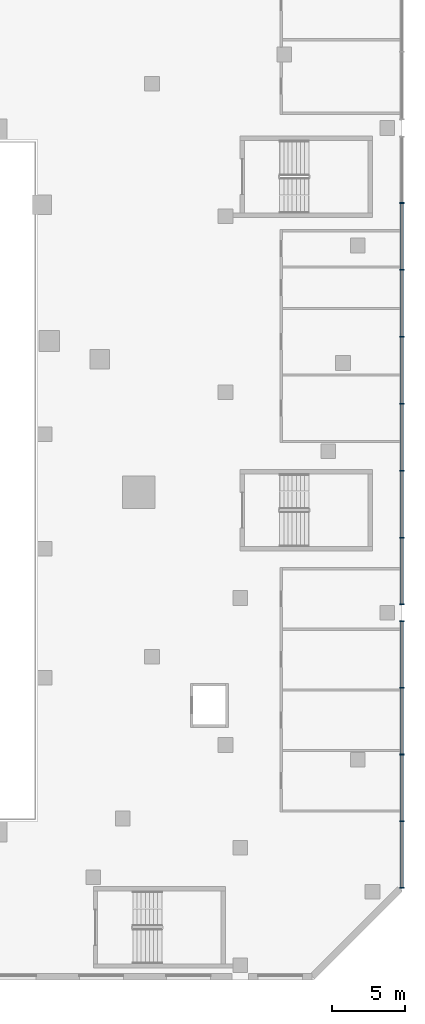
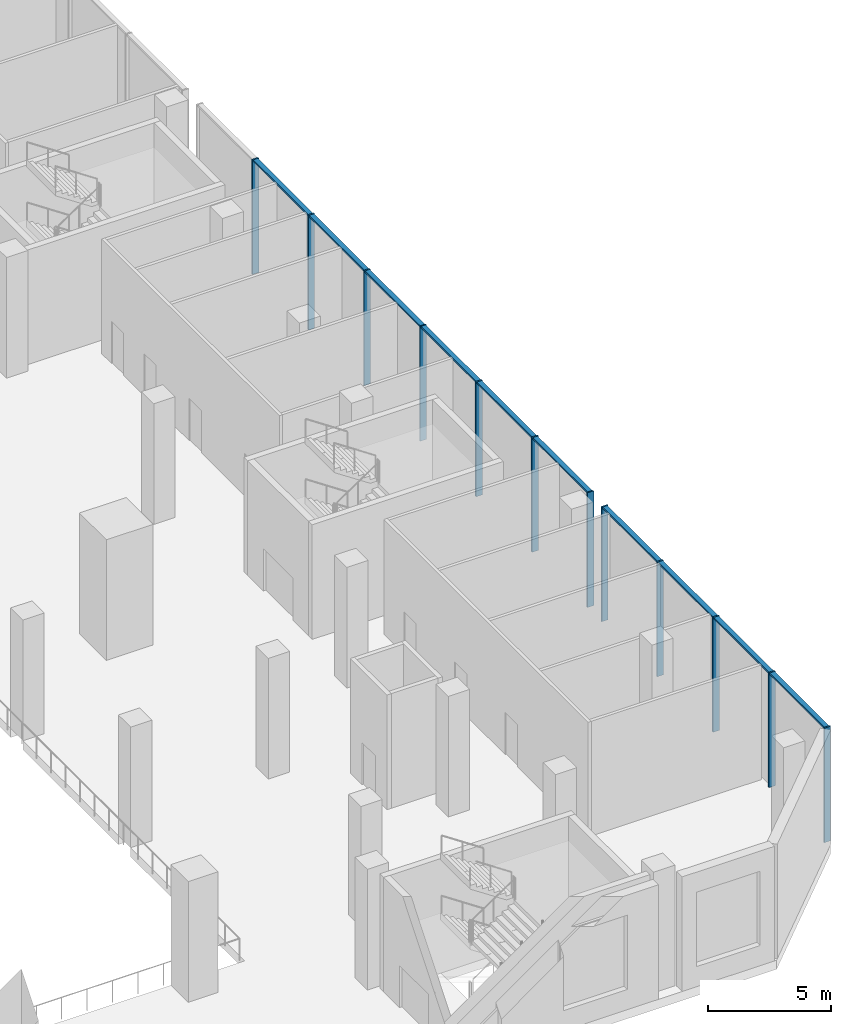
# One storey, part 4 of 30: 22 members, 2 elements without a shape of their own.
"""IFC4 building model written with IfcOpenShell, lengths in metres."""

from ifc_helpers import new_model, si_unit, direction, frame, origin, origin_2d, place, context, subcontext, project, spatial, rectangle, extrude, material, material_profile, profile_set, type_object, element, aggregate, save


model = new_model("IFC4")

# Units and contexts
model_context = context("Model", 3, precision=1e-05, world=origin(), true_north=direction((0.0, 1.0)))
body_context = subcontext(model_context, "Body", "Model", "MODEL_VIEW")
ifc_project = project(units=[si_unit("LENGTHUNIT", "METRE"), si_unit("AREAUNIT", "SQUARE_METRE"), si_unit("VOLUMEUNIT", "CUBIC_METRE"), si_unit("PLANEANGLEUNIT", "RADIAN"), si_unit("MASSUNIT", "GRAM", prefix="KILO")], contexts=[model_context])

# Site, building, storey
site_placement = place(None, origin())
site = spatial("IfcSite", under=ifc_project, at=site_placement, CompositionType="ELEMENT")
building_placement = place(site_placement, origin())
building = spatial("IfcBuilding", under=site, at=building_placement, Name="Wharfspan Tower", CompositionType="ELEMENT")
storey_placement = place(building_placement, frame((0.0, 0.0, 21.5)))
storey = spatial("IfcBuildingStorey", under=building, at=storey_placement, Name="L03", CompositionType="ELEMENT", Elevation=21.5)

# Curtain wall, members
ifc_material = material(Name="Aluminium 6063-T6", Category="aluminium")
curtain_wall_type = type_object("IfcCurtainWallType", Name="CURTAIN WALL ARENA STICK WALL", PredefinedType="NOTDEFINED", material=ifc_material)
curtain_wall_1_placement = place(storey_placement, origin())
curtain_wall_1 = element("IfcCurtainWall", 1, at=curtain_wall_1_placement, inside=storey, type_object=curtain_wall_type, Name="Concourse stick wall PF3.1", PredefinedType="NOTDEFINED")
ifc_material_profile_1 = material_profile(ifc_material, rectangle(XDim=0.300049, YDim=0.070068, at=origin_2d()))
ifc_profile_set_1 = profile_set([ifc_material_profile_1], Name="Aluminium 6063-T6")
member_type_1 = type_object("IfcMemberType", Name="MULLION ARENA STICK WALL 70x300", PredefinedType="MULLION", material=ifc_profile_set_1)
member_1_placement = place(storey_placement, frame((108.0, -25.715088, 0.0), z_axis=(0.0, 0.0, 1.0), x_axis=(-1.0, 0.0, 0.0)))
member_1 = element("IfcMember", 2, at=member_1_placement, type_object=member_type_1, Name="Concourse stick wall PF3.1 mullion 1", PredefinedType="MULLION", context=body_context, shape_type="SweptSolid", body=[
    extrude(rectangle(XDim=0.300049, YDim=0.070068, at=origin_2d()), origin(), (0.0, 0.0, 1.0), 5.699951),
])
member_2_placement = place(storey_placement, frame((108.0, -21.199951, 0.0), z_axis=(0.0, 0.0, 1.0), x_axis=(-1.0, 0.0, 0.0)))
member_2 = element("IfcMember", 3, at=member_2_placement, type_object=member_type_1, Name="Concourse stick wall PF3.1 mullion 2", PredefinedType="MULLION", context=body_context, shape_type="SweptSolid", body=[
    extrude(rectangle(XDim=0.300049, YDim=0.070068, at=origin_2d()), origin(), (0.0, 0.0, 1.0), 5.699951),
])
member_3_placement = place(storey_placement, frame((108.0, -16.649902, 0.0), z_axis=(0.0, 0.0, 1.0), x_axis=(-1.0, 0.0, 0.0)))
member_3 = element("IfcMember", 4, at=member_3_placement, type_object=member_type_1, Name="Concourse stick wall PF3.1 mullion 3", PredefinedType="MULLION", context=body_context, shape_type="SweptSolid", body=[
    extrude(rectangle(XDim=0.300049, YDim=0.070068, at=origin_2d()), origin(), (0.0, 0.0, 1.0), 5.699951),
])
member_4_placement = place(storey_placement, frame((108.0, -12.100098, 0.0), z_axis=(0.0, 0.0, 1.0), x_axis=(-1.0, 0.0, 0.0)))
member_4 = element("IfcMember", 5, at=member_4_placement, type_object=member_type_1, Name="Concourse stick wall PF3.1 mullion 4", PredefinedType="MULLION", context=body_context, shape_type="SweptSolid", body=[
    extrude(rectangle(XDim=0.300049, YDim=0.070068, at=origin_2d()), origin(), (0.0, 0.0, 1.0), 5.699951),
])
member_5_placement = place(storey_placement, frame((108.0, -7.584961, 0.0), z_axis=(0.0, 0.0, 1.0), x_axis=(-1.0, 0.0, 0.0)))
member_5 = element("IfcMember", 6, at=member_5_placement, type_object=member_type_1, Name="Concourse stick wall PF3.1 mullion 5", PredefinedType="MULLION", context=body_context, shape_type="SweptSolid", body=[
    extrude(rectangle(XDim=0.300049, YDim=0.070068, at=origin_2d()), origin(), (0.0, 0.0, 1.0), 5.699951),
])

curtain_wall_2_placement = place(storey_placement, origin())
curtain_wall_2 = element("IfcCurtainWall", 7, at=curtain_wall_2_placement, inside=storey, type_object=curtain_wall_type, Name="Concourse stick wall PF3.2", PredefinedType="NOTDEFINED")
member_6_placement = place(storey_placement, frame((108.0, -6.415039, 0.0), z_axis=(0.0, 0.0, 1.0), x_axis=(-1.0, 0.0, 0.0)))
member_6 = element("IfcMember", 8, at=member_6_placement, type_object=member_type_1, Name="Concourse stick wall PF3.2 mullion 1", PredefinedType="MULLION", context=body_context, shape_type="SweptSolid", body=[
    extrude(rectangle(XDim=0.300049, YDim=0.070068, at=origin_2d()), origin(), (0.0, 0.0, 1.0), 5.699951),
])
member_7_placement = place(storey_placement, frame((108.0, -1.892822, 0.0), z_axis=(0.0, 0.0, 1.0), x_axis=(-1.0, 0.0, 0.0)))
member_7 = element("IfcMember", 9, at=member_7_placement, type_object=member_type_1, Name="Concourse stick wall PF3.2 mullion 2", PredefinedType="MULLION", context=body_context, shape_type="SweptSolid", body=[
    extrude(rectangle(XDim=0.300049, YDim=0.070068, at=origin_2d()), origin(), (0.0, 0.0, 1.0), 5.699951),
])
member_8_placement = place(storey_placement, frame((108.0, 2.664307, 0.0), z_axis=(0.0, 0.0, 1.0), x_axis=(-1.0, 0.0, 0.0)))
member_8 = element("IfcMember", 10, at=member_8_placement, type_object=member_type_1, Name="Concourse stick wall PF3.2 mullion 3", PredefinedType="MULLION", context=body_context, shape_type="SweptSolid", body=[
    extrude(rectangle(XDim=0.300049, YDim=0.070068, at=origin_2d()), origin(), (0.0, 0.0, 1.0), 5.699951),
])
member_9_placement = place(storey_placement, frame((108.0, 7.221436, 0.0), z_axis=(0.0, 0.0, 1.0), x_axis=(-1.0, 0.0, 0.0)))
member_9 = element("IfcMember", 11, at=member_9_placement, type_object=member_type_1, Name="Concourse stick wall PF3.2 mullion 4", PredefinedType="MULLION", context=body_context, shape_type="SweptSolid", body=[
    extrude(rectangle(XDim=0.300049, YDim=0.070068, at=origin_2d()), origin(), (0.0, 0.0, 1.0), 5.699951),
])
member_10_placement = place(storey_placement, frame((108.0, 11.778564, 0.0), z_axis=(0.0, 0.0, 1.0), x_axis=(-1.0, 0.0, 0.0)))
member_10 = element("IfcMember", 12, at=member_10_placement, type_object=member_type_1, Name="Concourse stick wall PF3.2 mullion 5", PredefinedType="MULLION", context=body_context, shape_type="SweptSolid", body=[
    extrude(rectangle(XDim=0.300049, YDim=0.070068, at=origin_2d()), origin(), (0.0, 0.0, 1.0), 5.699951),
])
member_11_placement = place(storey_placement, frame((108.0, 16.335693, 0.0), z_axis=(0.0, 0.0, 1.0), x_axis=(-1.0, 0.0, 0.0)))
member_11 = element("IfcMember", 13, at=member_11_placement, type_object=member_type_1, Name="Concourse stick wall PF3.2 mullion 6", PredefinedType="MULLION", context=body_context, shape_type="SweptSolid", body=[
    extrude(rectangle(XDim=0.300049, YDim=0.070068, at=origin_2d()), origin(), (0.0, 0.0, 1.0), 5.699951),
])
member_12_placement = place(storey_placement, frame((108.0, 20.892822, 0.0), z_axis=(0.0, 0.0, 1.0), x_axis=(-1.0, 0.0, 0.0)))
member_12 = element("IfcMember", 14, at=member_12_placement, type_object=member_type_1, Name="Concourse stick wall PF3.2 mullion 7", PredefinedType="MULLION", context=body_context, shape_type="SweptSolid", body=[
    extrude(rectangle(XDim=0.300049, YDim=0.070068, at=origin_2d()), origin(), (0.0, 0.0, 1.0), 5.699951),
])

# Member
ifc_material_profile_2 = material_profile(ifc_material, rectangle(XDim=0.219971, YDim=0.090088, at=origin_2d()))
ifc_profile_set_2 = profile_set([ifc_material_profile_2], Name="Aluminium 6063-T6")
member_type_2 = type_object("IfcMemberType", Name="TRANSOM ARENA STICK WALL 90x220", PredefinedType="USERDEFINED", material=ifc_profile_set_2)
member_13_placement = place(storey_placement, frame((108.0, -25.679932, 5.655029), z_axis=(0.0, 1.0, 0.0), x_axis=(-1.0, 0.0, 0.0)))
member_13 = element("IfcMember", 15, at=member_13_placement, type_object=member_type_2, Name="Concourse stick wall PF3.1 transom 1", ObjectType="TRANSOM", PredefinedType="USERDEFINED", context=body_context, shape_type="SweptSolid", body=[
    extrude(rectangle(XDim=0.219971, YDim=0.090088, at=origin_2d()), origin(), (0.0, 0.0, 1.0), 4.444824),
])

member_14_placement = place(storey_placement, frame((108.0, -21.165039, 5.655029), z_axis=(0.0, 1.0, 0.0), x_axis=(-1.0, 0.0, 0.0)))
member_14 = element("IfcMember", 16, at=member_14_placement, type_object=member_type_2, Name="Concourse stick wall PF3.1 transom 2", ObjectType="TRANSOM", PredefinedType="USERDEFINED", context=body_context, shape_type="SweptSolid", body=[
    extrude(rectangle(XDim=0.219971, YDim=0.090088, at=origin_2d()), origin(), (0.0, 0.0, 1.0), 4.47998),
])

member_15_placement = place(storey_placement, frame((108.0, -16.61499, 5.655029), z_axis=(0.0, 1.0, 0.0), x_axis=(-1.0, 0.0, 0.0)))
member_15 = element("IfcMember", 17, at=member_15_placement, type_object=member_type_2, Name="Concourse stick wall PF3.1 transom 3", ObjectType="TRANSOM", PredefinedType="USERDEFINED", context=body_context, shape_type="SweptSolid", body=[
    extrude(rectangle(XDim=0.219971, YDim=0.090088, at=origin_2d()), origin(), (0.0, 0.0, 1.0), 4.47998),
])

member_16_placement = place(storey_placement, frame((108.0, -12.064941, 5.655029), z_axis=(0.0, 1.0, 0.0), x_axis=(-1.0, 0.0, 0.0)))
member_16 = element("IfcMember", 18, at=member_16_placement, type_object=member_type_2, Name="Concourse stick wall PF3.1 transom 4", ObjectType="TRANSOM", PredefinedType="USERDEFINED", context=body_context, shape_type="SweptSolid", body=[
    extrude(rectangle(XDim=0.219971, YDim=0.090088, at=origin_2d()), origin(), (0.0, 0.0, 1.0), 4.444824),
])

aggregate(curtain_wall_1, [member_1, member_2, member_3, member_4, member_5, member_13, member_14, member_15, member_16])

member_17_placement = place(storey_placement, frame((108.0, -6.379883, 5.655029), z_axis=(0.0, 1.0, 0.0), x_axis=(-1.0, 0.0, 0.0)))
member_17 = element("IfcMember", 19, at=member_17_placement, type_object=member_type_2, Name="Concourse stick wall PF3.2 transom 1", ObjectType="TRANSOM", PredefinedType="USERDEFINED", context=body_context, shape_type="SweptSolid", body=[
    extrude(rectangle(XDim=0.219971, YDim=0.090088, at=origin_2d()), origin(), (0.0, 0.0, 1.0), 4.451904),
])

member_18_placement = place(storey_placement, frame((108.0, -1.85791, 5.655029), z_axis=(0.0, 1.0, 0.0), x_axis=(-1.0, 0.0, 0.0)))
member_18 = element("IfcMember", 20, at=member_18_placement, type_object=member_type_2, Name="Concourse stick wall PF3.2 transom 2", ObjectType="TRANSOM", PredefinedType="USERDEFINED", context=body_context, shape_type="SweptSolid", body=[
    extrude(rectangle(XDim=0.219971, YDim=0.090088, at=origin_2d()), origin(), (0.0, 0.0, 1.0), 4.487305),
])

member_19_placement = place(storey_placement, frame((108.0, 2.699219, 5.655029), z_axis=(0.0, 1.0, 0.0), x_axis=(-1.0, 0.0, 0.0)))
member_19 = element("IfcMember", 21, at=member_19_placement, type_object=member_type_2, Name="Concourse stick wall PF3.2 transom 3", ObjectType="TRANSOM", PredefinedType="USERDEFINED", context=body_context, shape_type="SweptSolid", body=[
    extrude(rectangle(XDim=0.219971, YDim=0.090088, at=origin_2d()), origin(), (0.0, 0.0, 1.0), 4.487305),
])

member_20_placement = place(storey_placement, frame((108.0, 7.256348, 5.655029), z_axis=(0.0, 1.0, 0.0), x_axis=(-1.0, 0.0, 0.0)))
member_20 = element("IfcMember", 22, at=member_20_placement, type_object=member_type_2, Name="Concourse stick wall PF3.2 transom 4", ObjectType="TRANSOM", PredefinedType="USERDEFINED", context=body_context, shape_type="SweptSolid", body=[
    extrude(rectangle(XDim=0.219971, YDim=0.090088, at=origin_2d()), origin(), (0.0, 0.0, 1.0), 4.487305),
])

member_21_placement = place(storey_placement, frame((108.0, 11.813477, 5.655029), z_axis=(0.0, 1.0, 0.0), x_axis=(-1.0, 0.0, 0.0)))
member_21 = element("IfcMember", 23, at=member_21_placement, type_object=member_type_2, Name="Concourse stick wall PF3.2 transom 5", ObjectType="TRANSOM", PredefinedType="USERDEFINED", context=body_context, shape_type="SweptSolid", body=[
    extrude(rectangle(XDim=0.219971, YDim=0.090088, at=origin_2d()), origin(), (0.0, 0.0, 1.0), 4.487305),
])

member_22_placement = place(storey_placement, frame((108.0, 16.370605, 5.655029), z_axis=(0.0, 1.0, 0.0), x_axis=(-1.0, 0.0, 0.0)))
member_22 = element("IfcMember", 24, at=member_22_placement, type_object=member_type_2, Name="Concourse stick wall PF3.2 transom 6", ObjectType="TRANSOM", PredefinedType="USERDEFINED", context=body_context, shape_type="SweptSolid", body=[
    extrude(rectangle(XDim=0.219971, YDim=0.090088, at=origin_2d()), origin(), (0.0, 0.0, 1.0), 4.487305),
])

aggregate(curtain_wall_2, [member_6, member_7, member_8, member_9, member_10, member_11, member_12, member_17, member_18, member_19, member_20, member_21, member_22])

save(model, "model.ifc")
